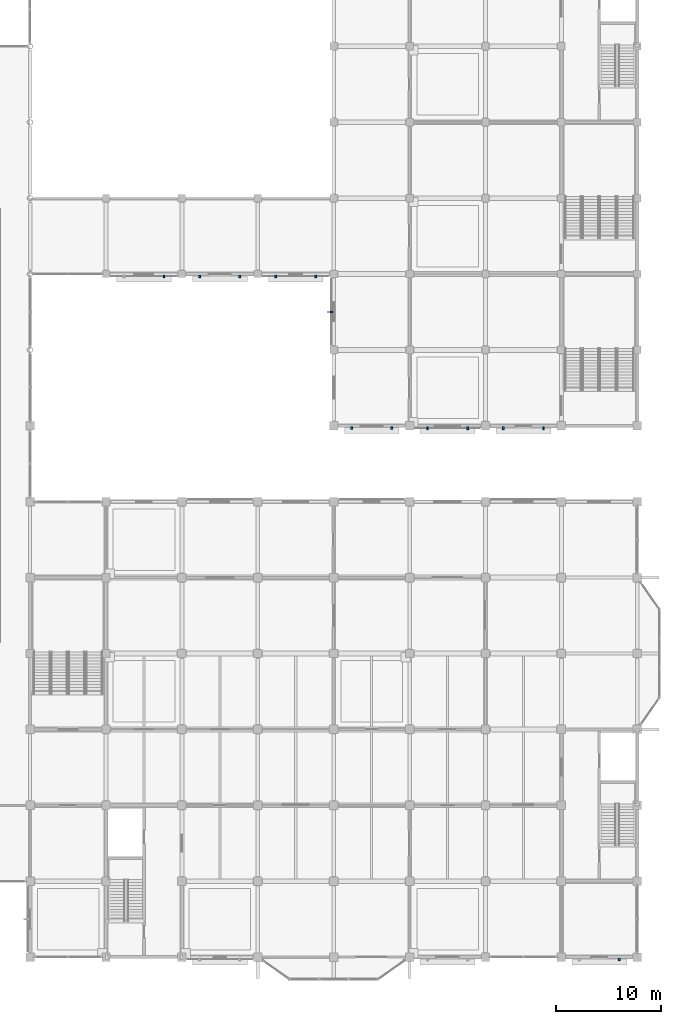
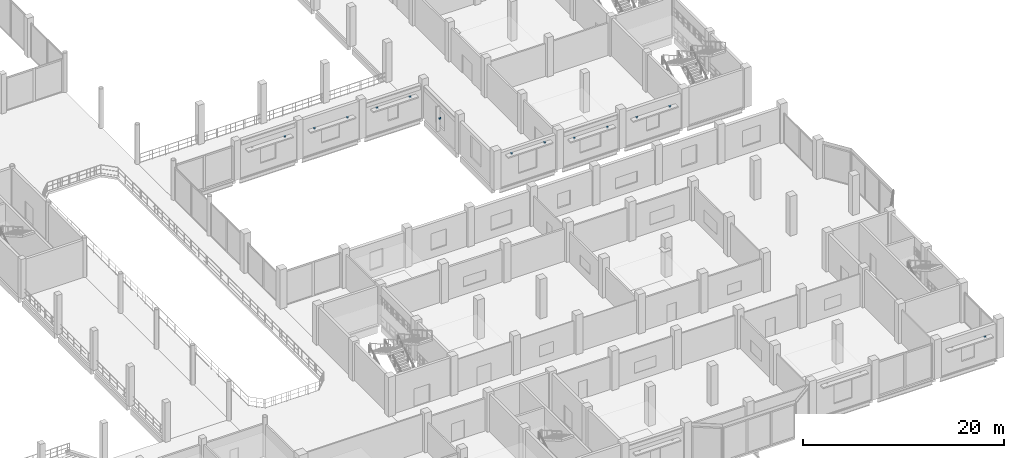
# One storey, part 78 of 99: 13 discrete accessories.
"""IFC4 building model written with IfcOpenShell, lengths in metres."""

from ifc_helpers import new_model, si_unit, direction, frame, origin, origin_2d, place, context, subcontext, project, spatial, rectangle, extrude, material, type_object, element, save


model = new_model("IFC4")

# Units and contexts
model_context = context("Model", 3, precision=1e-05, world=origin(), true_north=direction((0.0, 1.0)))
body_context = subcontext(model_context, "Body", "Model", "MODEL_VIEW")
ifc_project = project(units=[si_unit("LENGTHUNIT", "METRE"), si_unit("AREAUNIT", "SQUARE_METRE"), si_unit("VOLUMEUNIT", "CUBIC_METRE"), si_unit("PLANEANGLEUNIT", "RADIAN"), si_unit("MASSUNIT", "GRAM", prefix="KILO")], contexts=[model_context])

# Site, building, storey
site_placement = place(None, origin())
site = spatial("IfcSite", under=ifc_project, at=site_placement, CompositionType="ELEMENT")
building_placement = place(site_placement, origin())
building = spatial("IfcBuilding", under=site, at=building_placement, Name="Vesperath Aquatics Centre", CompositionType="ELEMENT")
storey_placement = place(building_placement, frame((0.0, 0.0, 5.39990234375)))
storey = spatial("IfcBuildingStorey", under=building, at=storey_placement, Name="L01", CompositionType="ELEMENT", Elevation=5.39990234375)

# Discrete accessories
ifc_material = material(Name="Stainless steel facade anchor bracket", Category="steel")
discrete_accessory_type = type_object("IfcDiscreteAccessoryType", Name="DA-BRK01", PredefinedType="BRACKET", material=ifc_material)
for number, where, z_axis, x_axis, name in (
    (1, (171.10009765625, -0.22998046875, 2.97998046875), (0.0, 0.0, 1.0), (1.0, 0.0, 0.0), "Sunshade Anchor Bracket BK01 L01_S_23_00-E"),
    (2, (145.699951171875, 50.179931640625, 3.63037109375), (0.0, 0.0, 1.0), (1.0, 0.0, 0.0), "Sunshade Anchor Bracket BK01 L01_S_20_07-W"),
    (3, (149.5, 50.179931640625, 3.63037109375), (0.0, 0.0, 1.0), (1.0, 0.0, 0.0), "Sunshade Anchor Bracket BK01 L01_S_20_07-E"),
    (4, (152.89990234375, 50.169921875, 2.97998046875), (0.0, 0.0, 1.0), (1.0, 0.0, 0.0), "Sunshade Anchor Bracket BK01 L01_S_21_07-W"),
    (5, (156.699951171875, 50.169921875, 2.97998046875), (0.0, 0.0, 1.0), (1.0, 0.0, 0.0), "Sunshade Anchor Bracket BK01 L01_S_21_07-E"),
    (6, (160.10009765625, 50.169921875, 2.97998046875), (0.0, 0.0, 1.0), (1.0, 0.0, 0.0), "Sunshade Anchor Bracket BK01 L01_S_22_07-W"),
    (7, (163.89990234375, 50.169921875, 2.97998046875), (0.0, 0.0, 1.0), (1.0, 0.0, 0.0), "Sunshade Anchor Bracket BK01 L01_S_22_07-E"),
    (8, (127.89990234375, 64.570068359375, 3.18017578125), (0.0, 0.0, 1.0), (1.0, 0.0, 0.0), "Sunshade Anchor Bracket BK01 L01_S_17_09-E"),
    (9, (131.300048828125, 64.580078125, 2.97998046875), (0.0, 0.0, 1.0), (1.0, 0.0, 0.0), "Sunshade Anchor Bracket BK01 L01_S_18_09-W"),
    (10, (135.10009765625, 64.580078125, 2.97998046875), (0.0, 0.0, 1.0), (1.0, 0.0, 0.0), "Sunshade Anchor Bracket BK01 L01_S_18_09-E"),
    (11, (138.5, 64.570068359375, 2.97998046875), (0.0, 0.0, 1.0), (1.0, 0.0, 0.0), "Sunshade Anchor Bracket BK01 L01_S_19_09-W"),
    (12, (142.300048828125, 64.570068359375, 2.97998046875), (0.0, 0.0, 1.0), (1.0, 0.0, 0.0), "Sunshade Anchor Bracket BK01 L01_S_19_09-E"),
):
    element("IfcDiscreteAccessory", number, at=place(storey_placement, frame(where, z_axis=z_axis, x_axis=x_axis)), inside=storey, type_object=discrete_accessory_type, Name=name, PredefinedType="BRACKET", context=body_context, shape_type="SweptSolid", body=[
        extrude(rectangle(XDim=0.179931640625, YDim=0.239990234375, at=origin_2d()), origin(), (0.0, 0.0, 1.0), 0.179931640625),
    ])
discrete_accessory_placement = place(storey_placement, frame((143.77001953125, 61.199951171875, 1.91015625), z_axis=(0.0, 0.0, 1.0), x_axis=(1.0, 0.0, 0.0)))
element("IfcDiscreteAccessory", 13, at=discrete_accessory_placement, inside=storey, type_object=discrete_accessory_type, Name="Solar Fin Bracket BK01 L01_W_20_08", PredefinedType="BRACKET", context=body_context, shape_type="SweptSolid", body=[
    extrude(rectangle(XDim=0.239990234375, YDim=0.179931640625, at=origin_2d()), origin(), (0.0, 0.0, 1.0), 0.179931640625),
])

save(model, "model.ifc")
